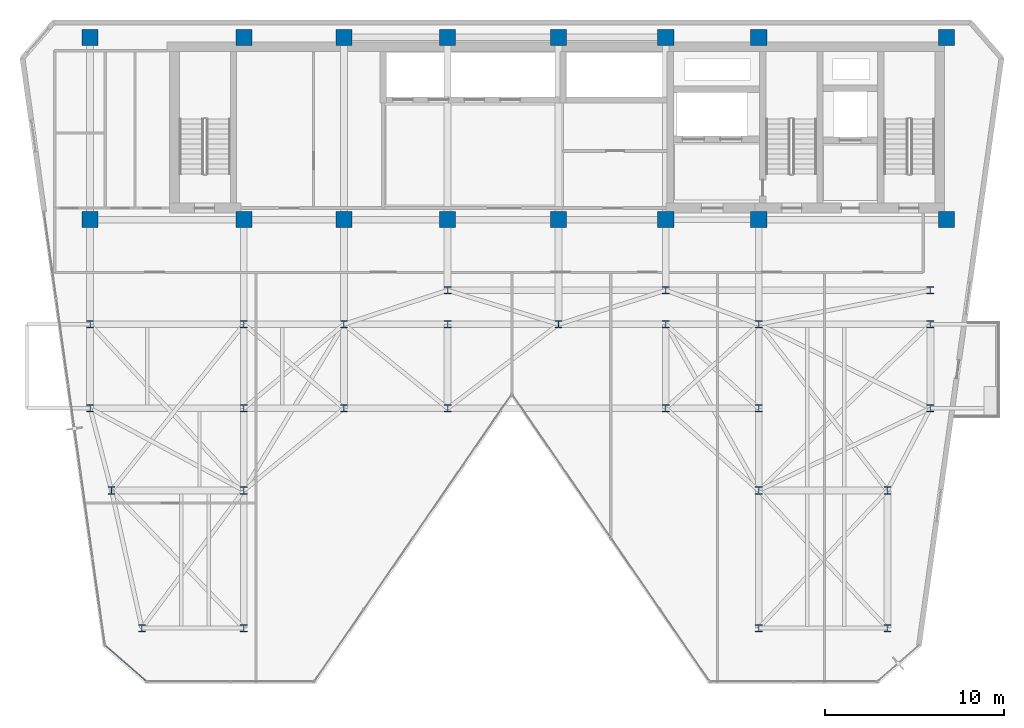
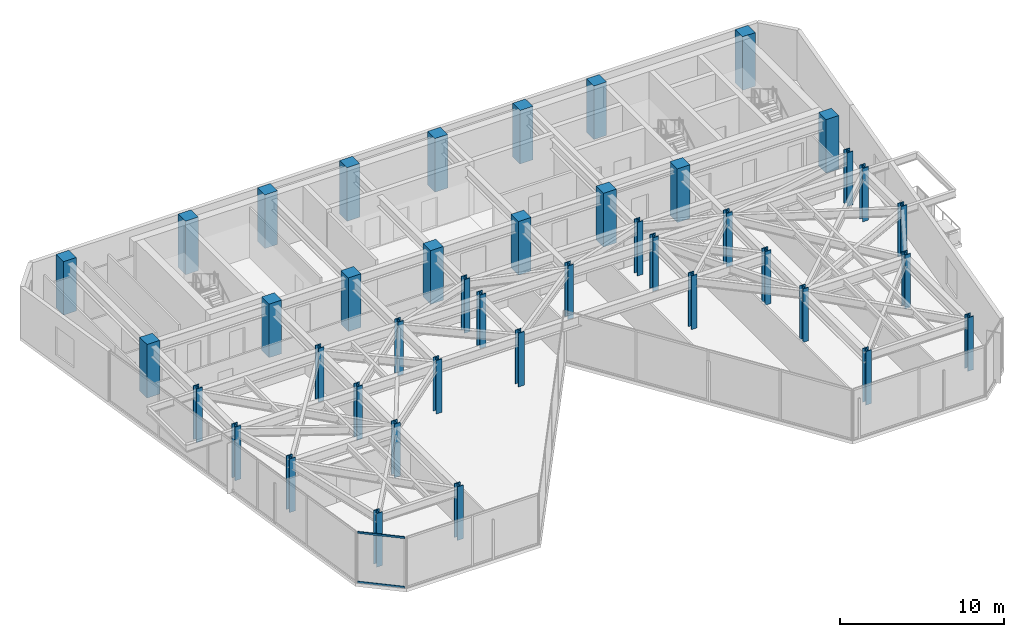
# One storey, part 1 of 26: 42 columns, 2 members, 1 element without a shape of its own.
"""IFC4 building model written with IfcOpenShell, lengths in metres."""

from ifc_helpers import new_model, si_unit, direction, frame, origin, origin_2d, place, context, subcontext, project, spatial, rectangle, hollow_rectangle, i_section, extrude, material, layer, layer_set, material_profile, profile_set, type_object, element, aggregate, save


model = new_model("IFC4")

# Units and contexts
model_context = context("Model", 3, precision=1e-05, world=origin(), true_north=direction((0.0, 1.0)))
body_context = subcontext(model_context, "Body", "Model", "MODEL_VIEW")
ifc_project = project(units=[si_unit("LENGTHUNIT", "METRE"), si_unit("AREAUNIT", "SQUARE_METRE"), si_unit("VOLUMEUNIT", "CUBIC_METRE"), si_unit("PLANEANGLEUNIT", "RADIAN"), si_unit("MASSUNIT", "GRAM", prefix="KILO")], contexts=[model_context])

# Site, building, storey
site_placement = place(None, origin())
site = spatial("IfcSite", under=ifc_project, at=site_placement, CompositionType="ELEMENT")
building_placement = place(site_placement, origin())
building = spatial("IfcBuilding", under=site, at=building_placement, Name="Kravanh Interchange Tower", CompositionType="ELEMENT")
storey_placement = place(building_placement, frame((0.0, 0.0, 172.5)))
storey = spatial("IfcBuildingStorey", under=building, at=storey_placement, Name="L41", CompositionType="ELEMENT", Elevation=172.5)

# Columns
ifc_material_1 = material(Name="Concrete C60/75", Category="concrete")
ifc_material_profile_1 = material_profile(ifc_material_1, rectangle(XDim=0.89990234375, YDim=0.89990234375, at=origin_2d()), Name="RC900X900")
ifc_profile_set_1 = profile_set([ifc_material_profile_1], Name="Concrete C60/75")
column_type_1 = type_object("IfcColumnType", Name="Column RC900X900 Concrete C60/75", PredefinedType="COLUMN", material=ifc_profile_set_1)
for number, where, z_axis, x_axis, name in (
    (1, (66.5, 47.550048828125, 0.0), (0.0, 0.0, 1.0), (1.0, 0.0, 0.0), "L41 Column CS01"),
    (2, (56.0, 47.550048828125, 0.0), (0.0, 0.0, 1.0), (1.0, 0.0, 0.0), "L41 Column CS02"),
    (3, (66.5, 37.35009765625, 0.0), (0.0, 0.0, 1.0), (1.0, 0.0, 0.0), "L41 Column CS03"),
    (4, (56.0, 37.35009765625, 0.0), (0.0, 0.0, 1.0), (1.0, 0.0, 0.0), "L41 Column CS04"),
    (5, (50.800048828125, 47.550048828125, 0.0), (0.0, 0.0, 1.0), (1.0, 0.0, 0.0), "L41 Column CS05"),
    (6, (50.800048828125, 37.35009765625, 0.0), (0.0, 0.0, 1.0), (1.0, 0.0, 0.0), "L41 Column CS06"),
    (7, (44.800048828125, 37.35009765625, 0.0), (0.0, 0.0, 1.0), (1.0, 0.0, 0.0), "L41 Column CS07"),
    (8, (44.800048828125, 47.550048828125, 0.0), (0.0, 0.0, 1.0), (1.0, 0.0, 0.0), "L41 Column CS08"),
    (9, (38.60009765625, 37.35009765625, 0.0), (0.0, 0.0, 1.0), (1.0, 0.0, 0.0), "L41 Column CS09"),
    (10, (38.60009765625, 47.550048828125, 0.0), (0.0, 0.0, 1.0), (1.0, 0.0, 0.0), "L41 Column CS10"),
    (11, (32.800048828125, 37.35009765625, 0.0), (0.0, 0.0, 1.0), (1.0, 0.0, 0.0), "L41 Column CS11"),
    (12, (32.800048828125, 47.550048828125, 0.0), (0.0, 0.0, 1.0), (1.0, 0.0, 0.0), "L41 Column CS12"),
    (13, (27.199951171875, 37.35009765625, 0.0), (0.0, 0.0, 1.0), (1.0, 0.0, 0.0), "L41 Column CS13"),
    (14, (27.199951171875, 47.550048828125, 0.0), (0.0, 0.0, 1.0), (1.0, 0.0, 0.0), "L41 Column CS14"),
    (15, (18.60009765625, 37.35009765625, 0.0), (0.0, 0.0, 1.0), (1.0, 0.0, 0.0), "L41 Column CS17"),
    (16, (18.60009765625, 47.550048828125, 0.0), (0.0, 0.0, 1.0), (1.0, 0.0, 0.0), "L41 Column CS18"),
):
    element("IfcColumn", number, at=place(storey_placement, frame(where, z_axis=z_axis, x_axis=x_axis)), inside=storey, type_object=column_type_1, Name=name, PredefinedType="COLUMN", context=body_context, shape_type="SweptSolid", body=[
        extrude(rectangle(XDim=0.89990234375, YDim=0.89990234375, at=origin_2d()), origin(), (0.0, 0.0, 1.0), 4.0),
    ])
ifc_material_2 = material(Name="Structural Steel S355", Category="steel")
ifc_material_profile_2 = material_profile(ifc_material_2, i_section(OverallWidth=0.408935546875, OverallDepth=0.425048828125, WebThickness=0.03271484375, FlangeThickness=0.052490234375, FilletRadius=0.030029296875, at=origin_2d()), Name="W14X283")
ifc_profile_set_2 = profile_set([ifc_material_profile_2], Name="Structural Steel S355")
column_type_2 = type_object("IfcColumnType", Name="Column W14X283 Structural Steel S355", PredefinedType="COLUMN", material=ifc_profile_set_2)
for number, where, z_axis, x_axis, name in (
    (17, (21.5, 14.5, 0.0), (0.0, 0.0, 1.0), (1.0, 0.0, 0.0), "L41 Column CZ3_1"),
    (18, (18.60009765625, 26.800048828125, 0.0), (0.0, 0.0, 1.0), (1.0, 0.0, 0.0), "L41 Column CZ3_11"),
    (19, (27.199951171875, 26.800048828125, 0.0), (0.0, 0.0, 1.0), (1.0, 0.0, 0.0), "L41 Column CZ3_12"),
    (20, (32.800048828125, 26.800048828125, 0.0), (0.0, 0.0, 1.0), (1.0, 0.0, 0.0), "L41 Column CZ3_13"),
    (21, (38.60009765625, 26.800048828125, 0.0), (0.0, 0.0, 1.0), (1.0, 0.0, 0.0), "L41 Column CZ3_13B"),
    (22, (50.800048828125, 26.800048828125, 0.0), (0.0, 0.0, 1.0), (1.0, 0.0, 0.0), "L41 Column CZ3_14"),
    (23, (56.0, 26.800048828125, 0.0), (0.0, 0.0, 1.0), (1.0, 0.0, 0.0), "L41 Column CZ3_15"),
    (24, (65.60009765625, 26.800048828125, 0.0), (0.0, 0.0, 1.0), (1.0, 0.0, 0.0), "L41 Column CZ3_16"),
    (25, (18.60009765625, 31.5, 0.0), (0.0, 0.0, 1.0), (1.0, 0.0, 0.0), "L41 Column CZ3_17"),
    (26, (27.199951171875, 31.5, 0.0), (0.0, 0.0, 1.0), (1.0, 0.0, 0.0), "L41 Column CZ3_18"),
    (27, (32.800048828125, 31.5, 0.0), (0.0, 0.0, 1.0), (1.0, 0.0, 0.0), "L41 Column CZ3_19"),
    (28, (27.199951171875, 14.5, 0.0), (0.0, 0.0, 1.0), (1.0, 0.0, 0.0), "L41 Column CZ3_2"),
    (29, (38.60009765625, 31.5, 0.0), (0.0, 0.0, 1.0), (1.0, 0.0, 0.0), "L41 Column CZ3_20"),
    (30, (44.800048828125, 31.5, 0.0), (0.0, 0.0, 1.0), (1.0, 0.0, 0.0), "L41 Column CZ3_21"),
    (31, (50.800048828125, 31.5, 0.0), (0.0, 0.0, 1.0), (1.0, 0.0, 0.0), "L41 Column CZ3_22"),
    (32, (56.0, 31.5, 0.0), (0.0, 0.0, 1.0), (1.0, 0.0, 0.0), "L41 Column CZ3_23"),
    (33, (65.60009765625, 31.5, 0.0), (0.0, 0.0, 1.0), (1.0, 0.0, 0.0), "L41 Column CZ3_24"),
    (34, (56.0, 14.5, 0.0), (0.0, 0.0, 1.0), (1.0, 0.0, 0.0), "L41 Column CZ3_3"),
    (35, (63.199951171875, 14.5, 0.0), (0.0, 0.0, 1.0), (1.0, 0.0, 0.0), "L41 Column CZ3_4"),
    (36, (19.800048828125, 22.199951171875, 0.0), (0.0, 0.0, 1.0), (1.0, 0.0, 0.0), "L41 Column CZ3_5"),
    (37, (27.199951171875, 22.199951171875, 0.0), (0.0, 0.0, 1.0), (1.0, 0.0, 0.0), "L41 Column CZ3_6"),
    (38, (56.0, 22.199951171875, 0.0), (0.0, 0.0, 1.0), (1.0, 0.0, 0.0), "L41 Column CZ3_8"),
    (39, (63.199951171875, 22.199951171875, 0.0), (0.0, 0.0, 1.0), (1.0, 0.0, 0.0), "L41 Column CZ3_9"),
    (40, (38.60009765625, 33.39990234375, 0.0), (0.0, 0.0, 1.0), (1.0, 0.0, 0.0), "L41 Column CZ3_M1"),
    (41, (50.800048828125, 33.39990234375, 0.0), (0.0, 0.0, 1.0), (1.0, 0.0, 0.0), "L41 Column CZ3_M2"),
    (42, (65.60009765625, 33.39990234375, 0.0), (0.0, 0.0, 1.0), (1.0, 0.0, 0.0), "L41 Column CZ3_M3"),
):
    element("IfcColumn", number, at=place(storey_placement, frame(where, z_axis=z_axis, x_axis=x_axis)), inside=storey, type_object=column_type_2, Name=name, PredefinedType="COLUMN", context=body_context, shape_type="SweptSolid", body=[
        extrude(i_section(OverallWidth=0.408935546875, OverallDepth=0.425048828125, WebThickness=0.03271484375, FlangeThickness=0.052490234375, FilletRadius=0.030029296875, at=origin_2d()), origin(), (0.0, 0.0, 1.0), 4.0),
    ])

# Curtain wall, members
ifc_material_3 = material(Name="Anodised Bronze Aluminium", Category="aluminium")
ifc_layer = layer(ifc_material_3, 0.179931640625)
ifc_layer_set = layer_set([ifc_layer], Name="Unitised Curtain Wall System CW-Z3 Upper Office")
curtain_wall_type = type_object("IfcCurtainWallType", Name="Unitised Curtain Wall System CW-Z3 Upper Office", PredefinedType="NOTDEFINED", material=ifc_layer_set)
curtain_wall_placement = place(storey_placement, origin())
curtain_wall = element("IfcCurtainWall", 43, at=curtain_wall_placement, inside=storey, type_object=curtain_wall_type, Name="L41 Unitised Curtain Wall CW-L41-07", PredefinedType="NOTDEFINED")
ifc_material_4 = material(Name="Anodised Bronze Aluminium", Category="aluminium")
ifc_material_profile_3 = material_profile(ifc_material_4, hollow_rectangle(XDim=0.06005859375, YDim=0.139892578125, WallThickness=0.00390625, at=origin_2d()), Name="ALU60X140X4")
ifc_profile_set_3 = profile_set([ifc_material_profile_3], Name="Anodised Bronze Aluminium")
member_type = type_object("IfcMemberType", Name="Curtain Wall Transom ALU60X140X4 Bronze", PredefinedType="USERDEFINED", material=ifc_profile_set_3)
member_1_placement = place(storey_placement, frame((21.713623046875, 11.559326171875, 0.030029296875), z_axis=(-0.754708504141, 0.656060266879, 0.0), x_axis=(-0.656060266879, -0.754708504141, 0.0)))
member_1 = element("IfcMember", 44, at=member_1_placement, type_object=member_type, Name="CW-Z3 transom 1.1", ObjectType="TRANSOM", PredefinedType="USERDEFINED", context=body_context, shape_type="SweptSolid", body=[
    extrude(hollow_rectangle(XDim=0.06005859375, YDim=0.139892578125, WallThickness=0.00390625, at=origin_2d()), origin(), (0.0, 0.0, 1.0), 2.9599609375),
])
member_2_placement = place(storey_placement, frame((21.713623046875, 11.559326171875, 3.72509765625), z_axis=(-0.754708504141, 0.656060266879, 0.0), x_axis=(-0.656060266879, -0.754708504141, 0.0)))
member_2 = element("IfcMember", 45, at=member_2_placement, type_object=member_type, Name="CW-Z3 transom 1.2", ObjectType="TRANSOM", PredefinedType="USERDEFINED", context=body_context, shape_type="SweptSolid", body=[
    extrude(hollow_rectangle(XDim=0.06005859375, YDim=0.139892578125, WallThickness=0.00390625, at=origin_2d()), origin(), (0.0, 0.0, 1.0), 2.9599609375),
])
aggregate(curtain_wall, [member_1, member_2])

save(model, "model.ifc")
